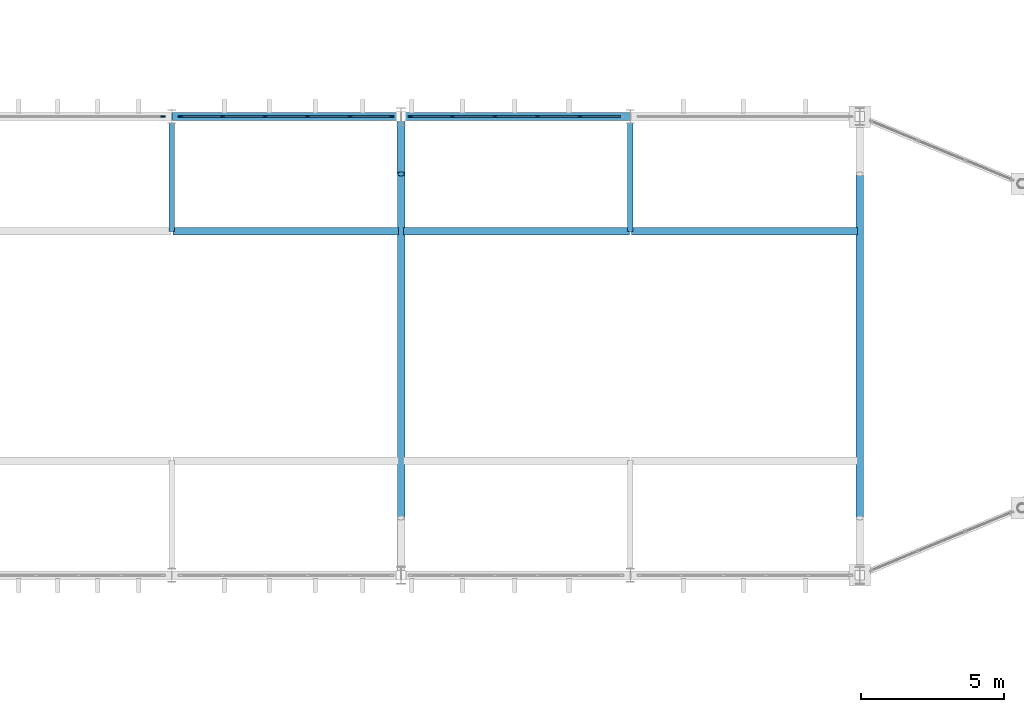
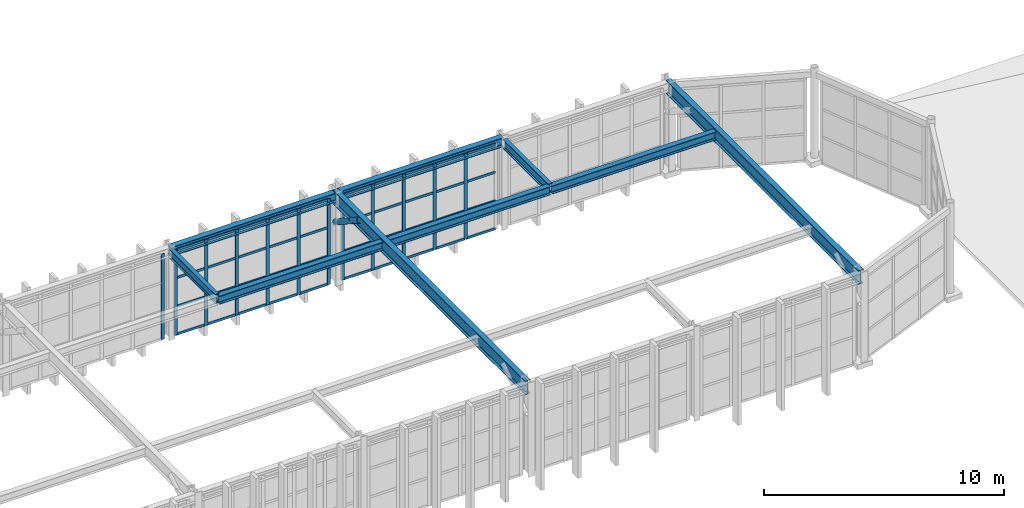
# One storey, part 32 of 61: 53 members, 9 beams, 3 elements without a shape of their own.
"""IFC4 building model written with IfcOpenShell, lengths in metres."""

from ifc_helpers import new_model, si_unit, direction, frame, origin, origin_2d, place, context, subcontext, project, spatial, rectangle, hollow_circle, i_section, extrude, material, material_profile, profile_set, type_object, element, aggregate, save


model = new_model("IFC4")

# Units and contexts
model_context = context("Model", 3, precision=1e-05, world=origin(), true_north=direction((0.0, 1.0)))
body_context = subcontext(model_context, "Body", "Model", "MODEL_VIEW")
ifc_project = project(units=[si_unit("LENGTHUNIT", "METRE"), si_unit("AREAUNIT", "SQUARE_METRE"), si_unit("VOLUMEUNIT", "CUBIC_METRE"), si_unit("PLANEANGLEUNIT", "RADIAN"), si_unit("MASSUNIT", "GRAM", prefix="KILO")], contexts=[model_context])

# Site, building, storey
site_placement = place(None, origin())
site = spatial("IfcSite", under=ifc_project, at=site_placement, CompositionType="ELEMENT")
building_placement = place(site_placement, origin())
building = spatial("IfcBuilding", under=site, at=building_placement, Name="Serraluz Foothill Cableway Terminal", CompositionType="ELEMENT")
storey_placement = place(building_placement, frame((0.0, 0.0, 15.0)))
storey = spatial("IfcBuildingStorey", under=building, at=storey_placement, Name="L03", CompositionType="ELEMENT", Elevation=15.0)

# Beams
ifc_material_1 = material(Name="Steel ASTM A992 Grade 50", Category="steel")
ifc_material_profile_1 = material_profile(ifc_material_1, i_section(OverallWidth=0.256103515625, OverallDepth=0.693115234375, WebThickness=0.014404296875, FlangeThickness=0.023681640625, FilletRadius=0.02001953125, at=origin_2d()), Name="W27X114")
ifc_profile_set_1 = profile_set([ifc_material_profile_1], Name="Steel ASTM A992 Grade 50")
beam_type_1 = type_object("IfcBeamType", Name="TYP-BM-W27X114", PredefinedType="BEAM", material=ifc_profile_set_1)
for number, where, z_axis, x_axis, name in (
    (1, (136.0, 56.0, 4.35009765625), (0.0, 1.0, 0.0), (-1.0, 0.0, 0.0), "ROOF TRUSS TR-07 Tie Girder"),
    (2, (152.0, 56.0, 4.35009765625), (0.0, 1.0, 0.0), (-1.0, 0.0, 0.0), "ROOF TRUSS TR-08 Tie Girder"),
):
    element("IfcBeam", number, at=place(storey_placement, frame(where, z_axis=z_axis, x_axis=x_axis)), inside=storey, type_object=beam_type_1, Name=name, PredefinedType="BEAM", context=body_context, shape_type="SweptSolid", body=[
        extrude(i_section(OverallWidth=0.256103515625, OverallDepth=0.693115234375, WebThickness=0.014404296875, FlangeThickness=0.023681640625, FilletRadius=0.02001953125, at=origin_2d()), origin(), (0.0, 0.0, 1.0), 16.0),
    ])

# Curtain wall, member
ifc_material_2 = material(Name="Architectural bronze alloy C28000", Category="aluminium")
curtain_wall_type_1 = type_object("IfcCurtainWallType", Name="TYP-CW-1280X440", PredefinedType="NOTDEFINED", material=ifc_material_2)
curtain_wall_1_placement = place(storey_placement, origin())
curtain_wall_1 = element("IfcCurtainWall", 3, at=curtain_wall_1_placement, inside=storey, type_object=curtain_wall_type_1, Name="Ribbed Glazed Curtain Wall CW-V1N-L03-120", PredefinedType="NOTDEFINED")
ifc_material_profile_2 = material_profile(ifc_material_2, rectangle(XDim=0.06005859375, YDim=0.159912109375, at=origin_2d()), Name="ALU MULLION 60x160")
ifc_profile_set_2 = profile_set([ifc_material_profile_2], Name="Architectural bronze alloy C28000")
member_type_1 = type_object("IfcMemberType", Name="TYP-CW-MUL-60X160", PredefinedType="MULLION", material=ifc_profile_set_2)
member_1_placement = place(storey_placement, frame((127.6884765625, 72.0, 0.0), z_axis=(0.0, 0.0, 1.0), x_axis=(0.0, 1.0, 0.0)))
member_1 = element("IfcMember", 4, at=member_1_placement, type_object=member_type_1, Name="CW-22 mullion 6", PredefinedType="MULLION", context=body_context, shape_type="SweptSolid", body=[
    extrude(rectangle(XDim=0.06005859375, YDim=0.159912109375, at=origin_2d()), origin(), (0.0, 0.0, 1.0), 4.35009765625),
])
aggregate(curtain_wall_1, [member_1])

# Curtain wall, members
curtain_wall_type_2 = type_object("IfcCurtainWallType", Name="TYP-CW-1480X420", PredefinedType="NOTDEFINED", material=ifc_material_2)
curtain_wall_2_placement = place(storey_placement, origin())
curtain_wall_2 = element("IfcCurtainWall", 5, at=curtain_wall_2_placement, inside=storey, type_object=curtain_wall_type_2, Name="Ribbed Glazed Curtain Wall CW-V1N-L03-128", PredefinedType="NOTDEFINED")
member_2_placement = place(storey_placement, frame((128.3115234375, 72.0, 0.0), z_axis=(0.0, 0.0, 1.0), x_axis=(0.0, 1.0, 0.0)))
member_2 = element("IfcMember", 6, at=member_2_placement, type_object=member_type_1, Name="CW-23 mullion 1", PredefinedType="MULLION", context=body_context, shape_type="SweptSolid", body=[
    extrude(rectangle(XDim=0.06005859375, YDim=0.159912109375, at=origin_2d()), origin(), (0.0, 0.0, 1.0), 4.35009765625),
])
member_3_placement = place(storey_placement, frame((129.7646484375, 72.0, 0.0), z_axis=(0.0, 0.0, 1.0), x_axis=(0.0, 1.0, 0.0)))
member_3 = element("IfcMember", 7, at=member_3_placement, type_object=member_type_1, Name="CW-23 mullion 2", PredefinedType="MULLION", context=body_context, shape_type="SweptSolid", body=[
    extrude(rectangle(XDim=0.06005859375, YDim=0.159912109375, at=origin_2d()), origin(), (0.0, 0.0, 1.0), 4.35009765625),
])
member_4_placement = place(storey_placement, frame((131.247802734375, 72.0, 0.0), z_axis=(0.0, 0.0, 1.0), x_axis=(0.0, 1.0, 0.0)))
member_4 = element("IfcMember", 8, at=member_4_placement, type_object=member_type_1, Name="CW-23 mullion 3", PredefinedType="MULLION", context=body_context, shape_type="SweptSolid", body=[
    extrude(rectangle(XDim=0.06005859375, YDim=0.159912109375, at=origin_2d()), origin(), (0.0, 0.0, 1.0), 4.35009765625),
])
member_5_placement = place(storey_placement, frame((132.731201171875, 72.0, 0.0), z_axis=(0.0, 0.0, 1.0), x_axis=(0.0, 1.0, 0.0)))
member_5 = element("IfcMember", 9, at=member_5_placement, type_object=member_type_1, Name="CW-23 mullion 4", PredefinedType="MULLION", context=body_context, shape_type="SweptSolid", body=[
    extrude(rectangle(XDim=0.06005859375, YDim=0.159912109375, at=origin_2d()), origin(), (0.0, 0.0, 1.0), 4.35009765625),
])
member_6_placement = place(storey_placement, frame((134.21435546875, 72.0, 0.0), z_axis=(0.0, 0.0, 1.0), x_axis=(0.0, 1.0, 0.0)))
member_6 = element("IfcMember", 10, at=member_6_placement, type_object=member_type_1, Name="CW-23 mullion 5", PredefinedType="MULLION", context=body_context, shape_type="SweptSolid", body=[
    extrude(rectangle(XDim=0.06005859375, YDim=0.159912109375, at=origin_2d()), origin(), (0.0, 0.0, 1.0), 4.35009765625),
])
member_7_placement = place(storey_placement, frame((135.66748046875, 72.0, 0.0), z_axis=(0.0, 0.0, 1.0), x_axis=(0.0, 1.0, 0.0)))
member_7 = element("IfcMember", 11, at=member_7_placement, type_object=member_type_1, Name="CW-23 mullion 6", PredefinedType="MULLION", context=body_context, shape_type="SweptSolid", body=[
    extrude(rectangle(XDim=0.06005859375, YDim=0.159912109375, at=origin_2d()), origin(), (0.0, 0.0, 1.0), 4.35009765625),
])

curtain_wall_type_3 = type_object("IfcCurtainWallType", Name="TYP-CW-1480X390", PredefinedType="NOTDEFINED", material=ifc_material_2)
curtain_wall_3_placement = place(storey_placement, origin())
curtain_wall_3 = element("IfcCurtainWall", 12, at=curtain_wall_3_placement, inside=storey, type_object=curtain_wall_type_3, Name="Ribbed Glazed Curtain Wall CW-V1N-L03-136", PredefinedType="NOTDEFINED")
member_8_placement = place(storey_placement, frame((136.33251953125, 72.0, 0.0), z_axis=(0.0, 0.0, 1.0), x_axis=(0.0, 1.0, 0.0)))
member_8 = element("IfcMember", 13, at=member_8_placement, type_object=member_type_1, Name="CW-24 mullion 1", PredefinedType="MULLION", context=body_context, shape_type="SweptSolid", body=[
    extrude(rectangle(XDim=0.06005859375, YDim=0.159912109375, at=origin_2d()), origin(), (0.0, 0.0, 1.0), 4.35009765625),
])
member_9_placement = place(storey_placement, frame((137.78564453125, 72.0, 0.0), z_axis=(0.0, 0.0, 1.0), x_axis=(0.0, 1.0, 0.0)))
member_9 = element("IfcMember", 14, at=member_9_placement, type_object=member_type_1, Name="CW-24 mullion 2", PredefinedType="MULLION", context=body_context, shape_type="SweptSolid", body=[
    extrude(rectangle(XDim=0.06005859375, YDim=0.159912109375, at=origin_2d()), origin(), (0.0, 0.0, 1.0), 4.35009765625),
])
member_10_placement = place(storey_placement, frame((139.268798828125, 72.0, 0.0), z_axis=(0.0, 0.0, 1.0), x_axis=(0.0, 1.0, 0.0)))
member_10 = element("IfcMember", 15, at=member_10_placement, type_object=member_type_1, Name="CW-24 mullion 3", PredefinedType="MULLION", context=body_context, shape_type="SweptSolid", body=[
    extrude(rectangle(XDim=0.06005859375, YDim=0.159912109375, at=origin_2d()), origin(), (0.0, 0.0, 1.0), 4.35009765625),
])
member_11_placement = place(storey_placement, frame((140.752197265625, 72.0, 0.0), z_axis=(0.0, 0.0, 1.0), x_axis=(0.0, 1.0, 0.0)))
member_11 = element("IfcMember", 16, at=member_11_placement, type_object=member_type_1, Name="CW-24 mullion 4", PredefinedType="MULLION", context=body_context, shape_type="SweptSolid", body=[
    extrude(rectangle(XDim=0.06005859375, YDim=0.159912109375, at=origin_2d()), origin(), (0.0, 0.0, 1.0), 4.35009765625),
])
member_12_placement = place(storey_placement, frame((142.2353515625, 72.0, 0.0), z_axis=(0.0, 0.0, 1.0), x_axis=(0.0, 1.0, 0.0)))
member_12 = element("IfcMember", 17, at=member_12_placement, type_object=member_type_1, Name="CW-24 mullion 5", PredefinedType="MULLION", context=body_context, shape_type="SweptSolid", body=[
    extrude(rectangle(XDim=0.06005859375, YDim=0.159912109375, at=origin_2d()), origin(), (0.0, 0.0, 1.0), 4.35009765625),
])

# Member
ifc_material_profile_3 = material_profile(ifc_material_2, rectangle(XDim=0.06005859375, YDim=0.1201171875, at=origin_2d()), Name="ALU TRANSOM 60x120")
ifc_profile_set_3 = profile_set([ifc_material_profile_3], Name="Architectural bronze alloy C28000")
member_type_2 = type_object("IfcMemberType", Name="TYP-CW-TRN-60X120", PredefinedType="USERDEFINED", material=ifc_profile_set_3)
member_13_placement = place(storey_placement, frame((128.341552734375, 72.0, 0.030029296875), z_axis=(1.0, 0.0, 0.0), x_axis=(0.0, 1.0, 0.0)))
member_13 = element("IfcMember", 18, at=member_13_placement, type_object=member_type_2, Name="CW-23 transom 1.1", ObjectType="TRANSOM", PredefinedType="USERDEFINED", context=body_context, shape_type="SweptSolid", body=[
    extrude(rectangle(XDim=0.06005859375, YDim=0.1201171875, at=origin_2d()), origin(), (0.0, 0.0, 1.0), 1.39306640625),
])

member_14_placement = place(storey_placement, frame((128.341552734375, 72.0, 1.449951171875), z_axis=(1.0, 0.0, 0.0), x_axis=(0.0, 1.0, 0.0)))
member_14 = element("IfcMember", 19, at=member_14_placement, type_object=member_type_2, Name="CW-23 transom 1.2", ObjectType="TRANSOM", PredefinedType="USERDEFINED", context=body_context, shape_type="SweptSolid", body=[
    extrude(rectangle(XDim=0.06005859375, YDim=0.1201171875, at=origin_2d()), origin(), (0.0, 0.0, 1.0), 1.39306640625),
])

member_15_placement = place(storey_placement, frame((128.341552734375, 72.0, 2.89990234375), z_axis=(1.0, 0.0, 0.0), x_axis=(0.0, 1.0, 0.0)))
member_15 = element("IfcMember", 20, at=member_15_placement, type_object=member_type_2, Name="CW-23 transom 1.3", ObjectType="TRANSOM", PredefinedType="USERDEFINED", context=body_context, shape_type="SweptSolid", body=[
    extrude(rectangle(XDim=0.06005859375, YDim=0.1201171875, at=origin_2d()), origin(), (0.0, 0.0, 1.0), 1.39306640625),
])

member_16_placement = place(storey_placement, frame((128.341552734375, 72.0, 4.320068359375), z_axis=(1.0, 0.0, 0.0), x_axis=(0.0, 1.0, 0.0)))
member_16 = element("IfcMember", 21, at=member_16_placement, type_object=member_type_2, Name="CW-23 transom 1.4", ObjectType="TRANSOM", PredefinedType="USERDEFINED", context=body_context, shape_type="SweptSolid", body=[
    extrude(rectangle(XDim=0.06005859375, YDim=0.1201171875, at=origin_2d()), origin(), (0.0, 0.0, 1.0), 1.39306640625),
])

member_17_placement = place(storey_placement, frame((129.794677734375, 72.0, 0.030029296875), z_axis=(1.0, 0.0, 0.0), x_axis=(0.0, 1.0, 0.0)))
member_17 = element("IfcMember", 22, at=member_17_placement, type_object=member_type_2, Name="CW-23 transom 2.1", ObjectType="TRANSOM", PredefinedType="USERDEFINED", context=body_context, shape_type="SweptSolid", body=[
    extrude(rectangle(XDim=0.06005859375, YDim=0.1201171875, at=origin_2d()), origin(), (0.0, 0.0, 1.0), 1.42333984375),
])

member_18_placement = place(storey_placement, frame((129.794677734375, 72.0, 1.449951171875), z_axis=(1.0, 0.0, 0.0), x_axis=(0.0, 1.0, 0.0)))
member_18 = element("IfcMember", 23, at=member_18_placement, type_object=member_type_2, Name="CW-23 transom 2.2", ObjectType="TRANSOM", PredefinedType="USERDEFINED", context=body_context, shape_type="SweptSolid", body=[
    extrude(rectangle(XDim=0.06005859375, YDim=0.1201171875, at=origin_2d()), origin(), (0.0, 0.0, 1.0), 1.42333984375),
])

member_19_placement = place(storey_placement, frame((129.794677734375, 72.0, 2.89990234375), z_axis=(1.0, 0.0, 0.0), x_axis=(0.0, 1.0, 0.0)))
member_19 = element("IfcMember", 24, at=member_19_placement, type_object=member_type_2, Name="CW-23 transom 2.3", ObjectType="TRANSOM", PredefinedType="USERDEFINED", context=body_context, shape_type="SweptSolid", body=[
    extrude(rectangle(XDim=0.06005859375, YDim=0.1201171875, at=origin_2d()), origin(), (0.0, 0.0, 1.0), 1.42333984375),
])

member_20_placement = place(storey_placement, frame((129.794677734375, 72.0, 4.320068359375), z_axis=(1.0, 0.0, 0.0), x_axis=(0.0, 1.0, 0.0)))
member_20 = element("IfcMember", 25, at=member_20_placement, type_object=member_type_2, Name="CW-23 transom 2.4", ObjectType="TRANSOM", PredefinedType="USERDEFINED", context=body_context, shape_type="SweptSolid", body=[
    extrude(rectangle(XDim=0.06005859375, YDim=0.1201171875, at=origin_2d()), origin(), (0.0, 0.0, 1.0), 1.42333984375),
])

member_21_placement = place(storey_placement, frame((131.27783203125, 72.0, 0.030029296875), z_axis=(1.0, 0.0, 0.0), x_axis=(0.0, 1.0, 0.0)))
member_21 = element("IfcMember", 26, at=member_21_placement, type_object=member_type_2, Name="CW-23 transom 3.1", ObjectType="TRANSOM", PredefinedType="USERDEFINED", context=body_context, shape_type="SweptSolid", body=[
    extrude(rectangle(XDim=0.06005859375, YDim=0.1201171875, at=origin_2d()), origin(), (0.0, 0.0, 1.0), 1.42333984375),
])

member_22_placement = place(storey_placement, frame((131.27783203125, 72.0, 1.449951171875), z_axis=(1.0, 0.0, 0.0), x_axis=(0.0, 1.0, 0.0)))
member_22 = element("IfcMember", 27, at=member_22_placement, type_object=member_type_2, Name="CW-23 transom 3.2", ObjectType="TRANSOM", PredefinedType="USERDEFINED", context=body_context, shape_type="SweptSolid", body=[
    extrude(rectangle(XDim=0.06005859375, YDim=0.1201171875, at=origin_2d()), origin(), (0.0, 0.0, 1.0), 1.42333984375),
])

member_23_placement = place(storey_placement, frame((131.27783203125, 72.0, 2.89990234375), z_axis=(1.0, 0.0, 0.0), x_axis=(0.0, 1.0, 0.0)))
member_23 = element("IfcMember", 28, at=member_23_placement, type_object=member_type_2, Name="CW-23 transom 3.3", ObjectType="TRANSOM", PredefinedType="USERDEFINED", context=body_context, shape_type="SweptSolid", body=[
    extrude(rectangle(XDim=0.06005859375, YDim=0.1201171875, at=origin_2d()), origin(), (0.0, 0.0, 1.0), 1.42333984375),
])

member_24_placement = place(storey_placement, frame((131.27783203125, 72.0, 4.320068359375), z_axis=(1.0, 0.0, 0.0), x_axis=(0.0, 1.0, 0.0)))
member_24 = element("IfcMember", 29, at=member_24_placement, type_object=member_type_2, Name="CW-23 transom 3.4", ObjectType="TRANSOM", PredefinedType="USERDEFINED", context=body_context, shape_type="SweptSolid", body=[
    extrude(rectangle(XDim=0.06005859375, YDim=0.1201171875, at=origin_2d()), origin(), (0.0, 0.0, 1.0), 1.42333984375),
])

member_25_placement = place(storey_placement, frame((132.760986328125, 72.0, 0.030029296875), z_axis=(1.0, 0.0, 0.0), x_axis=(0.0, 1.0, 0.0)))
member_25 = element("IfcMember", 30, at=member_25_placement, type_object=member_type_2, Name="CW-23 transom 4.1", ObjectType="TRANSOM", PredefinedType="USERDEFINED", context=body_context, shape_type="SweptSolid", body=[
    extrude(rectangle(XDim=0.06005859375, YDim=0.1201171875, at=origin_2d()), origin(), (0.0, 0.0, 1.0), 1.42333984375),
])

member_26_placement = place(storey_placement, frame((132.760986328125, 72.0, 1.449951171875), z_axis=(1.0, 0.0, 0.0), x_axis=(0.0, 1.0, 0.0)))
member_26 = element("IfcMember", 31, at=member_26_placement, type_object=member_type_2, Name="CW-23 transom 4.2", ObjectType="TRANSOM", PredefinedType="USERDEFINED", context=body_context, shape_type="SweptSolid", body=[
    extrude(rectangle(XDim=0.06005859375, YDim=0.1201171875, at=origin_2d()), origin(), (0.0, 0.0, 1.0), 1.42333984375),
])

member_27_placement = place(storey_placement, frame((132.760986328125, 72.0, 2.89990234375), z_axis=(1.0, 0.0, 0.0), x_axis=(0.0, 1.0, 0.0)))
member_27 = element("IfcMember", 32, at=member_27_placement, type_object=member_type_2, Name="CW-23 transom 4.3", ObjectType="TRANSOM", PredefinedType="USERDEFINED", context=body_context, shape_type="SweptSolid", body=[
    extrude(rectangle(XDim=0.06005859375, YDim=0.1201171875, at=origin_2d()), origin(), (0.0, 0.0, 1.0), 1.42333984375),
])

member_28_placement = place(storey_placement, frame((132.760986328125, 72.0, 4.320068359375), z_axis=(1.0, 0.0, 0.0), x_axis=(0.0, 1.0, 0.0)))
member_28 = element("IfcMember", 33, at=member_28_placement, type_object=member_type_2, Name="CW-23 transom 4.4", ObjectType="TRANSOM", PredefinedType="USERDEFINED", context=body_context, shape_type="SweptSolid", body=[
    extrude(rectangle(XDim=0.06005859375, YDim=0.1201171875, at=origin_2d()), origin(), (0.0, 0.0, 1.0), 1.42333984375),
])

member_29_placement = place(storey_placement, frame((134.244384765625, 72.0, 0.030029296875), z_axis=(1.0, 0.0, 0.0), x_axis=(0.0, 1.0, 0.0)))
member_29 = element("IfcMember", 34, at=member_29_placement, type_object=member_type_2, Name="CW-23 transom 5.1", ObjectType="TRANSOM", PredefinedType="USERDEFINED", context=body_context, shape_type="SweptSolid", body=[
    extrude(rectangle(XDim=0.06005859375, YDim=0.1201171875, at=origin_2d()), origin(), (0.0, 0.0, 1.0), 1.39306640625),
])

member_30_placement = place(storey_placement, frame((134.244384765625, 72.0, 1.449951171875), z_axis=(1.0, 0.0, 0.0), x_axis=(0.0, 1.0, 0.0)))
member_30 = element("IfcMember", 35, at=member_30_placement, type_object=member_type_2, Name="CW-23 transom 5.2", ObjectType="TRANSOM", PredefinedType="USERDEFINED", context=body_context, shape_type="SweptSolid", body=[
    extrude(rectangle(XDim=0.06005859375, YDim=0.1201171875, at=origin_2d()), origin(), (0.0, 0.0, 1.0), 1.39306640625),
])

member_31_placement = place(storey_placement, frame((134.244384765625, 72.0, 2.89990234375), z_axis=(1.0, 0.0, 0.0), x_axis=(0.0, 1.0, 0.0)))
member_31 = element("IfcMember", 36, at=member_31_placement, type_object=member_type_2, Name="CW-23 transom 5.3", ObjectType="TRANSOM", PredefinedType="USERDEFINED", context=body_context, shape_type="SweptSolid", body=[
    extrude(rectangle(XDim=0.06005859375, YDim=0.1201171875, at=origin_2d()), origin(), (0.0, 0.0, 1.0), 1.39306640625),
])

member_32_placement = place(storey_placement, frame((134.244384765625, 72.0, 4.320068359375), z_axis=(1.0, 0.0, 0.0), x_axis=(0.0, 1.0, 0.0)))
member_32 = element("IfcMember", 37, at=member_32_placement, type_object=member_type_2, Name="CW-23 transom 5.4", ObjectType="TRANSOM", PredefinedType="USERDEFINED", context=body_context, shape_type="SweptSolid", body=[
    extrude(rectangle(XDim=0.06005859375, YDim=0.1201171875, at=origin_2d()), origin(), (0.0, 0.0, 1.0), 1.39306640625),
])

aggregate(curtain_wall_2, [member_2, member_3, member_4, member_5, member_6, member_7, member_13, member_14, member_15, member_16, member_17, member_18, member_19, member_20, member_21, member_22, member_23, member_24, member_25, member_26, member_27, member_28, member_29, member_30, member_31, member_32])

member_33_placement = place(storey_placement, frame((136.362548828125, 72.0, 0.030029296875), z_axis=(1.0, 0.0, 0.0), x_axis=(0.0, 1.0, 0.0)))
member_33 = element("IfcMember", 38, at=member_33_placement, type_object=member_type_2, Name="CW-24 transom 1.1", ObjectType="TRANSOM", PredefinedType="USERDEFINED", context=body_context, shape_type="SweptSolid", body=[
    extrude(rectangle(XDim=0.06005859375, YDim=0.1201171875, at=origin_2d()), origin(), (0.0, 0.0, 1.0), 1.39306640625),
])

member_34_placement = place(storey_placement, frame((136.362548828125, 72.0, 1.449951171875), z_axis=(1.0, 0.0, 0.0), x_axis=(0.0, 1.0, 0.0)))
member_34 = element("IfcMember", 39, at=member_34_placement, type_object=member_type_2, Name="CW-24 transom 1.2", ObjectType="TRANSOM", PredefinedType="USERDEFINED", context=body_context, shape_type="SweptSolid", body=[
    extrude(rectangle(XDim=0.06005859375, YDim=0.1201171875, at=origin_2d()), origin(), (0.0, 0.0, 1.0), 1.39306640625),
])

member_35_placement = place(storey_placement, frame((136.362548828125, 72.0, 2.89990234375), z_axis=(1.0, 0.0, 0.0), x_axis=(0.0, 1.0, 0.0)))
member_35 = element("IfcMember", 40, at=member_35_placement, type_object=member_type_2, Name="CW-24 transom 1.3", ObjectType="TRANSOM", PredefinedType="USERDEFINED", context=body_context, shape_type="SweptSolid", body=[
    extrude(rectangle(XDim=0.06005859375, YDim=0.1201171875, at=origin_2d()), origin(), (0.0, 0.0, 1.0), 1.39306640625),
])

member_36_placement = place(storey_placement, frame((136.362548828125, 72.0, 4.320068359375), z_axis=(1.0, 0.0, 0.0), x_axis=(0.0, 1.0, 0.0)))
member_36 = element("IfcMember", 41, at=member_36_placement, type_object=member_type_2, Name="CW-24 transom 1.4", ObjectType="TRANSOM", PredefinedType="USERDEFINED", context=body_context, shape_type="SweptSolid", body=[
    extrude(rectangle(XDim=0.06005859375, YDim=0.1201171875, at=origin_2d()), origin(), (0.0, 0.0, 1.0), 1.39306640625),
])

member_37_placement = place(storey_placement, frame((137.815673828125, 72.0, 0.030029296875), z_axis=(1.0, 0.0, 0.0), x_axis=(0.0, 1.0, 0.0)))
member_37 = element("IfcMember", 42, at=member_37_placement, type_object=member_type_2, Name="CW-24 transom 2.1", ObjectType="TRANSOM", PredefinedType="USERDEFINED", context=body_context, shape_type="SweptSolid", body=[
    extrude(rectangle(XDim=0.06005859375, YDim=0.1201171875, at=origin_2d()), origin(), (0.0, 0.0, 1.0), 1.42333984375),
])

member_38_placement = place(storey_placement, frame((137.815673828125, 72.0, 1.449951171875), z_axis=(1.0, 0.0, 0.0), x_axis=(0.0, 1.0, 0.0)))
member_38 = element("IfcMember", 43, at=member_38_placement, type_object=member_type_2, Name="CW-24 transom 2.2", ObjectType="TRANSOM", PredefinedType="USERDEFINED", context=body_context, shape_type="SweptSolid", body=[
    extrude(rectangle(XDim=0.06005859375, YDim=0.1201171875, at=origin_2d()), origin(), (0.0, 0.0, 1.0), 1.42333984375),
])

member_39_placement = place(storey_placement, frame((137.815673828125, 72.0, 2.89990234375), z_axis=(1.0, 0.0, 0.0), x_axis=(0.0, 1.0, 0.0)))
member_39 = element("IfcMember", 44, at=member_39_placement, type_object=member_type_2, Name="CW-24 transom 2.3", ObjectType="TRANSOM", PredefinedType="USERDEFINED", context=body_context, shape_type="SweptSolid", body=[
    extrude(rectangle(XDim=0.06005859375, YDim=0.1201171875, at=origin_2d()), origin(), (0.0, 0.0, 1.0), 1.42333984375),
])

member_40_placement = place(storey_placement, frame((137.815673828125, 72.0, 4.320068359375), z_axis=(1.0, 0.0, 0.0), x_axis=(0.0, 1.0, 0.0)))
member_40 = element("IfcMember", 45, at=member_40_placement, type_object=member_type_2, Name="CW-24 transom 2.4", ObjectType="TRANSOM", PredefinedType="USERDEFINED", context=body_context, shape_type="SweptSolid", body=[
    extrude(rectangle(XDim=0.06005859375, YDim=0.1201171875, at=origin_2d()), origin(), (0.0, 0.0, 1.0), 1.42333984375),
])

member_41_placement = place(storey_placement, frame((139.298828125, 72.0, 0.030029296875), z_axis=(1.0, 0.0, 0.0), x_axis=(0.0, 1.0, 0.0)))
member_41 = element("IfcMember", 46, at=member_41_placement, type_object=member_type_2, Name="CW-24 transom 3.1", ObjectType="TRANSOM", PredefinedType="USERDEFINED", context=body_context, shape_type="SweptSolid", body=[
    extrude(rectangle(XDim=0.06005859375, YDim=0.1201171875, at=origin_2d()), origin(), (0.0, 0.0, 1.0), 1.42333984375),
])

member_42_placement = place(storey_placement, frame((139.298828125, 72.0, 1.449951171875), z_axis=(1.0, 0.0, 0.0), x_axis=(0.0, 1.0, 0.0)))
member_42 = element("IfcMember", 47, at=member_42_placement, type_object=member_type_2, Name="CW-24 transom 3.2", ObjectType="TRANSOM", PredefinedType="USERDEFINED", context=body_context, shape_type="SweptSolid", body=[
    extrude(rectangle(XDim=0.06005859375, YDim=0.1201171875, at=origin_2d()), origin(), (0.0, 0.0, 1.0), 1.42333984375),
])

member_43_placement = place(storey_placement, frame((139.298828125, 72.0, 2.89990234375), z_axis=(1.0, 0.0, 0.0), x_axis=(0.0, 1.0, 0.0)))
member_43 = element("IfcMember", 48, at=member_43_placement, type_object=member_type_2, Name="CW-24 transom 3.3", ObjectType="TRANSOM", PredefinedType="USERDEFINED", context=body_context, shape_type="SweptSolid", body=[
    extrude(rectangle(XDim=0.06005859375, YDim=0.1201171875, at=origin_2d()), origin(), (0.0, 0.0, 1.0), 1.42333984375),
])

member_44_placement = place(storey_placement, frame((139.298828125, 72.0, 4.320068359375), z_axis=(1.0, 0.0, 0.0), x_axis=(0.0, 1.0, 0.0)))
member_44 = element("IfcMember", 49, at=member_44_placement, type_object=member_type_2, Name="CW-24 transom 3.4", ObjectType="TRANSOM", PredefinedType="USERDEFINED", context=body_context, shape_type="SweptSolid", body=[
    extrude(rectangle(XDim=0.06005859375, YDim=0.1201171875, at=origin_2d()), origin(), (0.0, 0.0, 1.0), 1.42333984375),
])

member_45_placement = place(storey_placement, frame((140.781982421875, 72.0, 0.030029296875), z_axis=(1.0, 0.0, 0.0), x_axis=(0.0, 1.0, 0.0)))
member_45 = element("IfcMember", 50, at=member_45_placement, type_object=member_type_2, Name="CW-24 transom 4.1", ObjectType="TRANSOM", PredefinedType="USERDEFINED", context=body_context, shape_type="SweptSolid", body=[
    extrude(rectangle(XDim=0.06005859375, YDim=0.1201171875, at=origin_2d()), origin(), (0.0, 0.0, 1.0), 1.42333984375),
])

member_46_placement = place(storey_placement, frame((140.781982421875, 72.0, 1.449951171875), z_axis=(1.0, 0.0, 0.0), x_axis=(0.0, 1.0, 0.0)))
member_46 = element("IfcMember", 51, at=member_46_placement, type_object=member_type_2, Name="CW-24 transom 4.2", ObjectType="TRANSOM", PredefinedType="USERDEFINED", context=body_context, shape_type="SweptSolid", body=[
    extrude(rectangle(XDim=0.06005859375, YDim=0.1201171875, at=origin_2d()), origin(), (0.0, 0.0, 1.0), 1.42333984375),
])

member_47_placement = place(storey_placement, frame((140.781982421875, 72.0, 2.89990234375), z_axis=(1.0, 0.0, 0.0), x_axis=(0.0, 1.0, 0.0)))
member_47 = element("IfcMember", 52, at=member_47_placement, type_object=member_type_2, Name="CW-24 transom 4.3", ObjectType="TRANSOM", PredefinedType="USERDEFINED", context=body_context, shape_type="SweptSolid", body=[
    extrude(rectangle(XDim=0.06005859375, YDim=0.1201171875, at=origin_2d()), origin(), (0.0, 0.0, 1.0), 1.42333984375),
])

member_48_placement = place(storey_placement, frame((140.781982421875, 72.0, 4.320068359375), z_axis=(1.0, 0.0, 0.0), x_axis=(0.0, 1.0, 0.0)))
member_48 = element("IfcMember", 53, at=member_48_placement, type_object=member_type_2, Name="CW-24 transom 4.4", ObjectType="TRANSOM", PredefinedType="USERDEFINED", context=body_context, shape_type="SweptSolid", body=[
    extrude(rectangle(XDim=0.06005859375, YDim=0.1201171875, at=origin_2d()), origin(), (0.0, 0.0, 1.0), 1.42333984375),
])

member_49_placement = place(storey_placement, frame((142.265380859375, 72.0, 0.030029296875), z_axis=(1.0, 0.0, 0.0), x_axis=(0.0, 1.0, 0.0)))
member_49 = element("IfcMember", 54, at=member_49_placement, type_object=member_type_2, Name="CW-24 transom 5.1", ObjectType="TRANSOM", PredefinedType="USERDEFINED", context=body_context, shape_type="SweptSolid", body=[
    extrude(rectangle(XDim=0.06005859375, YDim=0.1201171875, at=origin_2d()), origin(), (0.0, 0.0, 1.0), 1.39306640625),
])

member_50_placement = place(storey_placement, frame((142.265380859375, 72.0, 1.449951171875), z_axis=(1.0, 0.0, 0.0), x_axis=(0.0, 1.0, 0.0)))
member_50 = element("IfcMember", 55, at=member_50_placement, type_object=member_type_2, Name="CW-24 transom 5.2", ObjectType="TRANSOM", PredefinedType="USERDEFINED", context=body_context, shape_type="SweptSolid", body=[
    extrude(rectangle(XDim=0.06005859375, YDim=0.1201171875, at=origin_2d()), origin(), (0.0, 0.0, 1.0), 1.39306640625),
])

member_51_placement = place(storey_placement, frame((142.265380859375, 72.0, 2.89990234375), z_axis=(1.0, 0.0, 0.0), x_axis=(0.0, 1.0, 0.0)))
member_51 = element("IfcMember", 56, at=member_51_placement, type_object=member_type_2, Name="CW-24 transom 5.3", ObjectType="TRANSOM", PredefinedType="USERDEFINED", context=body_context, shape_type="SweptSolid", body=[
    extrude(rectangle(XDim=0.06005859375, YDim=0.1201171875, at=origin_2d()), origin(), (0.0, 0.0, 1.0), 1.39306640625),
])

member_52_placement = place(storey_placement, frame((142.265380859375, 72.0, 4.320068359375), z_axis=(1.0, 0.0, 0.0), x_axis=(0.0, 1.0, 0.0)))
member_52 = element("IfcMember", 57, at=member_52_placement, type_object=member_type_2, Name="CW-24 transom 5.4", ObjectType="TRANSOM", PredefinedType="USERDEFINED", context=body_context, shape_type="SweptSolid", body=[
    extrude(rectangle(XDim=0.06005859375, YDim=0.1201171875, at=origin_2d()), origin(), (0.0, 0.0, 1.0), 1.39306640625),
])

aggregate(curtain_wall_3, [member_8, member_9, member_10, member_11, member_12, member_33, member_34, member_35, member_36, member_37, member_38, member_39, member_40, member_41, member_42, member_43, member_44, member_45, member_46, member_47, member_48, member_49, member_50, member_51, member_52])

# Beams
ifc_material_profile_4 = material_profile(ifc_material_1, i_section(OverallWidth=0.260009765625, OverallDepth=0.4189453125, WebThickness=0.01171875, FlangeThickness=0.019287109375, FilletRadius=0.013916015625, at=origin_2d()), Name="W16X77")
ifc_profile_set_4 = profile_set([ifc_material_profile_4], Name="Steel ASTM A992 Grade 50")
beam_type_2 = type_object("IfcBeamType", Name="TYP-JS-W16X77", PredefinedType="JOIST", material=ifc_profile_set_4)
for number, where, z_axis, x_axis, name in (
    (58, (128.0400390625, 68.0, 4.35009765625), (1.0, 0.0, 0.0), (0.0, 1.0, 0.0), "Eaves Gallery Support Beam 128-68"),
    (59, (136.0849609375, 68.0, 4.35009765625), (1.0, 0.0, 0.0), (0.0, 1.0, 0.0), "Eaves Gallery Support Beam 136-68"),
    (60, (144.0400390625, 68.0, 4.35009765625), (1.0, 0.0, 0.0), (0.0, 1.0, 0.0), "Eaves Gallery Support Beam 144-68"),
):
    element("IfcBeam", number, at=place(storey_placement, frame(where, z_axis=z_axis, x_axis=x_axis)), inside=storey, type_object=beam_type_2, Name=name, PredefinedType="JOIST", context=body_context, shape_type="SweptSolid", body=[
        extrude(i_section(OverallWidth=0.260009765625, OverallDepth=0.4189453125, WebThickness=0.01171875, FlangeThickness=0.019287109375, FilletRadius=0.013916015625, at=origin_2d()), origin(), (0.0, 0.0, 1.0), 7.875),
    ])
ifc_material_profile_5 = material_profile(ifc_material_1, i_section(OverallWidth=0.193115234375, OverallDepth=0.467041015625, WebThickness=0.011474609375, FlangeThickness=0.01904296875, FilletRadius=0.014892578125, at=origin_2d()), Name="W18X65")
ifc_profile_set_5 = profile_set([ifc_material_profile_5], Name="Steel ASTM A992 Grade 50")
beam_type_3 = type_object("IfcBeamType", Name="TYP-JS-W18X65", PredefinedType="JOIST", material=ifc_profile_set_5)
for number, where, z_axis, x_axis, name in (
    (61, (128.0, 68.0, 4.3798828125), (0.0, 1.0, 0.0), (-1.0, 0.0, 0.0), "Eaves Gallery Bracket Tie 128-68"),
    (62, (144.0, 68.0, 4.3798828125), (0.0, 1.0, 0.0), (-1.0, 0.0, 0.0), "Eaves Gallery Bracket Tie 144-68"),
):
    element("IfcBeam", number, at=place(storey_placement, frame(where, z_axis=z_axis, x_axis=x_axis)), inside=storey, type_object=beam_type_3, Name=name, PredefinedType="JOIST", context=body_context, shape_type="SweptSolid", body=[
        extrude(i_section(OverallWidth=0.193115234375, OverallDepth=0.467041015625, WebThickness=0.011474609375, FlangeThickness=0.01904296875, FilletRadius=0.014892578125, at=origin_2d()), origin(), (0.0, 0.0, 1.0), 3.800048828125),
    ])
ifc_material_profile_6 = material_profile(ifc_material_1, i_section(OverallWidth=0.282958984375, OverallDepth=0.471923828125, WebThickness=0.013671875, FlangeThickness=0.022216796875, FilletRadius=0.014892578125, at=origin_2d()), Name="W18X97")
ifc_profile_set_6 = profile_set([ifc_material_profile_6], Name="Steel ASTM A992 Grade 50")
beam_type_4 = type_object("IfcBeamType", Name="TYP-SP-W18X97", PredefinedType="SPANDREL", material=ifc_profile_set_6)
for number, where, z_axis, x_axis, name in (
    (63, (128.0048828125, 72.0, 4.384033203125), (1.0, 0.0, 0.0), (0.0, 1.0, 0.0), "Primary Girder BM-X-L03-0374"),
    (64, (136.0048828125, 72.0, 4.384033203125), (1.0, 0.0, 0.0), (0.0, 1.0, 0.0), "Primary Girder BM-X-L03-0375"),
):
    element("IfcBeam", number, at=place(storey_placement, frame(where, z_axis=z_axis, x_axis=x_axis)), inside=storey, type_object=beam_type_4, Name=name, PredefinedType="SPANDREL", context=body_context, shape_type="SweptSolid", body=[
        extrude(i_section(OverallWidth=0.282958984375, OverallDepth=0.471923828125, WebThickness=0.013671875, FlangeThickness=0.022216796875, FilletRadius=0.014892578125, at=origin_2d()), origin(), (0.0, 0.0, 1.0), 7.990234375),
    ])

# Member
ifc_material_3 = material(Name="Steel ASTM A572 Grade 50", Category="steel")
ifc_material_profile_7 = material_profile(ifc_material_3, hollow_circle(Radius=0.136474609375, WallThickness=0.011962890625, at=origin_2d()), Name="CHS273X12")
ifc_profile_set_7 = profile_set([ifc_material_profile_7], Name="Steel ASTM A572 Grade 50")
member_type_3 = type_object("IfcMemberType", Name="TYP-ST-CHS273", PredefinedType="STRUT", material=ifc_profile_set_7)
member_53_placement = place(storey_placement, frame((136.0, 72.0, 3.050048828125), z_axis=(0.0, -0.838434262763, 0.545002740383), x_axis=(1.0, 0.0, 0.0)))
element("IfcMember", 65, at=member_53_placement, inside=storey, type_object=member_type_3, Name="Portal Knee Strut STRUT-TR-07-N", PredefinedType="STRUT", context=body_context, shape_type="SweptSolid", body=[
    extrude(hollow_circle(Radius=0.136474609375, WallThickness=0.011962890625, at=origin_2d()), origin(), (0.0, 0.0, 1.0), 2.385498046875),
])

save(model, "model.ifc")
